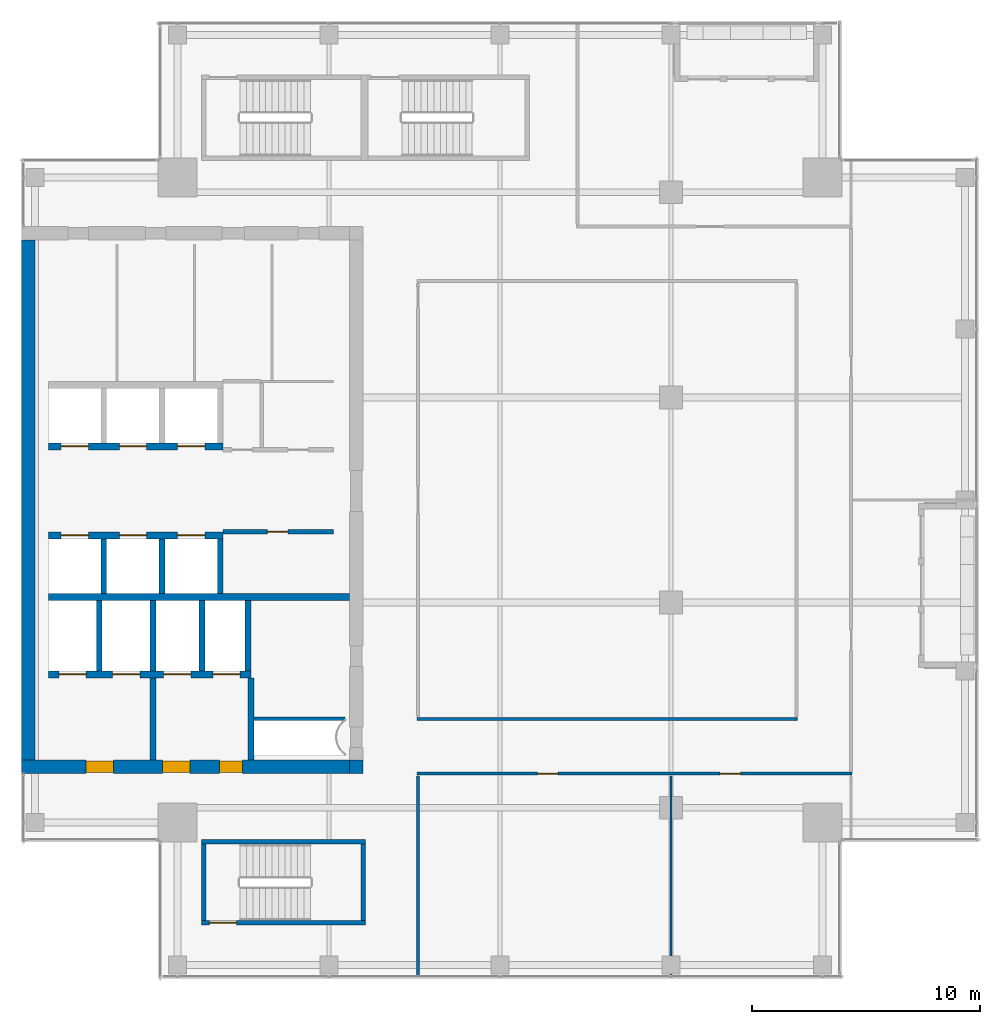
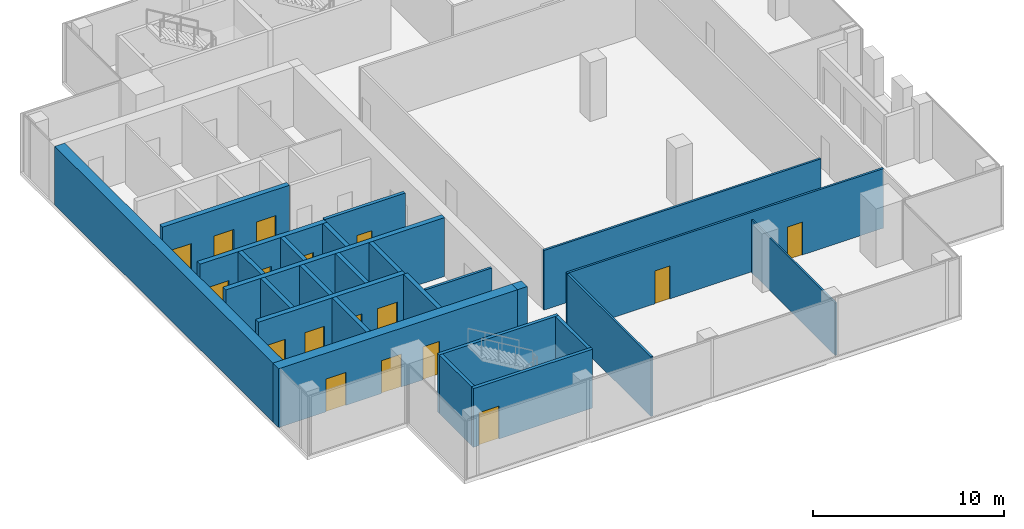
# One storey, part 25 of 29: 26 walls, 17 doors, 17 openings.
"""IFC4 building model written with IfcOpenShell, lengths in metres."""

from ifc_helpers import new_model, si_unit, direction, frame, frame_2d, origin, place, context, subcontext, project, spatial, rectangle, extrude, source, transform, mapped, material, layer, layer_set, type_object, element, fill, save


model = new_model("IFC4")

# Units and contexts
model_context = context("Model", 3, precision=1e-05, world=origin(), true_north=direction((0.0, 1.0)))
body_context = subcontext(model_context, "Body", "Model", "MODEL_VIEW")
ifc_project = project(units=[si_unit("LENGTHUNIT", "METRE"), si_unit("AREAUNIT", "SQUARE_METRE"), si_unit("VOLUMEUNIT", "CUBIC_METRE"), si_unit("PLANEANGLEUNIT", "RADIAN"), si_unit("MASSUNIT", "GRAM", prefix="KILO")], contexts=[model_context])

# Site, building, storey
site_placement = place(None, origin())
site = spatial("IfcSite", under=ifc_project, at=site_placement, CompositionType="ELEMENT")
building_placement = place(site_placement, origin())
building = spatial("IfcBuilding", under=site, at=building_placement, Name="Khomas Fold Tower", CompositionType="ELEMENT")
storey_placement = place(building_placement, frame((0.0, 0.0, 326.199951171875)))
storey = spatial("IfcBuildingStorey", under=building, at=storey_placement, Name="L74", CompositionType="ELEMENT", Elevation=326.199951171875)

# Wall
ifc_material_1 = material(Name="Concrete C50/60", Category="concrete")
ifc_layer_1 = layer(ifc_material_1, 0.199951171875)
ifc_layer_set_1 = layer_set([ifc_layer_1], Name="Concrete C50/60")
wall_type_1 = type_object("IfcWallType", Name="Stair wall 200", PredefinedType="SHEAR", material=ifc_layer_set_1)
shared_shape_1 = source(origin(), body_context, "Body", "SweptSolid", [
    extrude(rectangle(XDim=7.2001953125, YDim=0.199951171875, at=frame_2d((3.60009765625, 0.0))), origin(), (0.0, 0.0, 1.0), 3.75),
])
wall_1_placement = place(storey_placement, frame((13.89990234375, 12.0, 0.0), z_axis=(0.0, 0.0, 1.0), x_axis=(1.0, 0.0, 0.0)))
element("IfcWall", 1, at=wall_1_placement, inside=storey, type_object=wall_type_1, Name="Stair wall SW-ST2-NH", PredefinedType="SHEAR", context=body_context, shape_type="MappedRepresentation", body=[
    mapped(shared_shape_1, transform((0.0, 0.0, 0.0))),
])

# Wall, opening, door
wall_2_placement = place(storey_placement, frame((13.89990234375, 8.449951171875, 0.0), z_axis=(0.0, 0.0, 1.0), x_axis=(1.0, 0.0, 0.0)))
wall_2 = element("IfcWall", 2, at=wall_2_placement, inside=storey, type_object=wall_type_1, Name="Stair wall SW-ST2-S", PredefinedType="SHEAR", context=body_context, shape_type="MappedRepresentation", body=[
    mapped(shared_shape_1, transform((0.0, 0.0, 0.0))),
])
shared_shape_2 = source(origin(), body_context, "Body", "SweptSolid", [
    extrude(rectangle(XDim=1.199951171875, YDim=2.10009765625, at=frame_2d((0.60009765625, 1.050048828125))), frame((0.0, 0.10986328125, 0.0), z_axis=(0.0, -1.0, 0.0), x_axis=(1.0, 0.0, 0.0)), (0.0, 0.0, 1.0), 0.219970703125),
])
opening_1_placement = place(wall_2_placement, frame((0.35009765625, 0.0, 0.0)))
opening_1 = element("IfcOpeningElement", 3, at=opening_1_placement, cuts=wall_2, Name="Opening SD-ST2", PredefinedType="OPENING", context=body_context, shape_type="MappedRepresentation", body=[
    mapped(shared_shape_2, transform((0.0, 0.0, 0.0))),
])
ifc_material_2 = material(Name="Steel door leaf", Category="steel")
door_type_1 = type_object("IfcDoorType", Name="Stair door 1200x2100 right-hand", OperationType="SINGLE_SWING_RIGHT", PredefinedType="DOOR", material=ifc_material_2)
shared_shape_3 = source(origin(), body_context, "Body", "SweptSolid", [
    extrude(rectangle(XDim=1.199951171875, YDim=2.10009765625, at=frame_2d((0.60009765625, 1.050048828125))), frame((0.0, 0.02490234375, 0.0), z_axis=(0.0, -1.0, 0.0), x_axis=(1.0, 0.0, 0.0)), (0.0, 0.0, 1.0), 0.050048828125),
])
door_1_placement = place(opening_1_placement, origin())
door_1 = element("IfcDoor", 4, at=door_1_placement, inside=storey, type_object=door_type_1, Name="Stair door", OperationType="SINGLE_SWING_RIGHT", OverallHeight=2.10009765625, OverallWidth=1.199951171875, PredefinedType="DOOR", context=body_context, shape_type="MappedRepresentation", body=[
    mapped(shared_shape_3, transform((0.0, 0.0, 0.0))),
])
fill(opening_1, door_1)

# Walls
shared_shape_4 = source(origin(), body_context, "Body", "SweptSolid", [
    extrude(rectangle(XDim=3.349853515625, YDim=0.199951171875, at=frame_2d((1.6748046875, 0.0))), origin(), (0.0, 0.0, 1.0), 3.75),
])
for number, where, z_axis, x_axis, name in (
    (5, (21.0, 8.550048828125, 0.0), (0.0, 0.0, 1.0), (0.0, 1.0, 0.0), "Stair wall SW-ST2-E"),
    (6, (14.0, 8.550048828125, 0.0), (0.0, 0.0, 1.0), (0.0, 1.0, 0.0), "Stair wall SW-ST2-W"),
):
    element("IfcWall", number, at=place(storey_placement, frame(where, z_axis=z_axis, x_axis=x_axis)), inside=storey, type_object=wall_type_1, Name=name, PredefinedType="SHEAR", context=body_context, shape_type="MappedRepresentation", body=[
        mapped(shared_shape_4, transform((0.0, 0.0, 0.0))),
    ])
ifc_material_3 = material(Name="Concrete C50/60", Category="concrete")
ifc_layer_2 = layer(ifc_material_3, 0.25)
ifc_layer_set_2 = layer_set([ifc_layer_2], Name="Concrete C50/60")
wall_type_2 = type_object("IfcWallType", Name="Shaft wall 250", PredefinedType="STANDARD", material=ifc_layer_set_2)
shared_shape_5 = source(origin(), body_context, "Body", "SweptSolid", [
    extrude(rectangle(XDim=3.10009765625, YDim=0.25, at=frame_2d((1.550048828125, 0.0))), origin(), (0.0, 0.0, 1.0), 3.75),
])
for number, where, z_axis, x_axis, name in (
    (7, (9.425048828125, 19.5, 0.0), (0.0, 0.0, 1.0), (0.0, 1.0, 0.0), "Core wall SW-FS-P1"),
    (8, (11.77490234375, 19.5, 0.0), (0.0, 0.0, 1.0), (0.0, 1.0, 0.0), "Core wall SW-FS-P2"),
    (9, (13.925048828125, 19.5, 0.0), (0.0, 0.0, 1.0), (0.0, 1.0, 0.0), "Core wall SW-FS-P3"),
    (10, (15.949951171875, 19.5, 0.0), (0.0, 0.0, 1.0), (0.0, 1.0, 0.0), "Core wall SW-FS-PE"),
):
    element("IfcWall", number, at=place(storey_placement, frame(where, z_axis=z_axis, x_axis=x_axis)), inside=storey, type_object=wall_type_2, Name=name, PredefinedType="STANDARD", context=body_context, shape_type="MappedRepresentation", body=[
        mapped(shared_shape_5, transform((0.0, 0.0, 0.0))),
    ])
shared_shape_6 = source(origin(), body_context, "Body", "SweptSolid", [
    extrude(rectangle(XDim=2.400146484375, YDim=0.25, at=frame_2d((1.2001953125, 0.0))), origin(), (0.0, 0.0, 1.0), 3.75),
])
for number, where, z_axis, x_axis, name in (
    (11, (9.625, 22.89990234375, 0.0), (0.0, 0.0, 1.0), (0.0, 1.0, 0.0), "Core wall SW-HRS-P1"),
    (12, (12.175048828125, 22.89990234375, 0.0), (0.0, 0.0, 1.0), (0.0, 1.0, 0.0), "Core wall SW-HRS-P2"),
    (13, (14.72509765625, 22.89990234375, 0.0), (0.0, 0.0, 1.0), (0.0, 1.0, 0.0), "Core wall SW-HRS-PE"),
):
    element("IfcWall", number, at=place(storey_placement, frame(where, z_axis=z_axis, x_axis=x_axis)), inside=storey, type_object=wall_type_2, Name=name, PredefinedType="STANDARD", context=body_context, shape_type="MappedRepresentation", body=[
        mapped(shared_shape_6, transform((0.0, 0.0, 0.0))),
    ])

# Wall, openings, doors
ifc_material_4 = material(Name="Concrete C50/60", Category="concrete")
ifc_layer_3 = layer(ifc_material_4, 0.60009765625)
ifc_layer_set_3 = layer_set([ifc_layer_3], Name="Concrete C50/60")
wall_type_3 = type_object("IfcWallType", Name="Core wall 600", PredefinedType="SHEAR", material=ifc_layer_set_3)
shared_shape_7 = source(origin(), body_context, "Body", "SweptSolid", [
    extrude(rectangle(XDim=14.39990234375, YDim=0.60009765625, at=frame_2d((7.199951171875, 0.0))), origin(), (0.0, 0.0, 1.0), 3.75),
])
wall_3_placement = place(storey_placement, frame((6.0, 15.300048828125, 0.0), z_axis=(0.0, 0.0, 1.0), x_axis=(1.0, 0.0, 0.0)))
wall_3 = element("IfcWall", 14, at=wall_3_placement, inside=storey, type_object=wall_type_3, Name="Core wall CW-U-S-L63", PredefinedType="SHEAR", context=body_context, shape_type="MappedRepresentation", body=[
    mapped(shared_shape_7, transform((0.0, 0.0, 0.0))),
])
shared_shape_8 = source(origin(), body_context, "Body", "SweptSolid", [
    extrude(rectangle(XDim=1.199951171875, YDim=2.10009765625, at=frame_2d((0.60009765625, 1.050048828125))), frame((0.0, 0.31005859375, 0.0), z_axis=(0.0, -1.0, 0.0), x_axis=(1.0, 0.0, 0.0)), (0.0, 0.0, 1.0), 0.6201171875),
])
opening_2_placement = place(wall_3_placement, frame((6.199951171875, 0.0, 0.0)))
opening_2 = element("IfcOpeningElement", 15, at=opening_2_placement, cuts=wall_3, Name="Opening 0009", PredefinedType="OPENING", context=body_context, shape_type="MappedRepresentation", body=[
    mapped(shared_shape_8, transform((0.0, 0.0, 0.0))),
])
opening_3_placement = place(wall_3_placement, frame((2.85009765625, 0.0, 0.0)))
opening_3 = element("IfcOpeningElement", 16, at=opening_3_placement, cuts=wall_3, Name="Opening 0009", PredefinedType="OPENING", context=body_context, shape_type="MappedRepresentation", body=[
    mapped(shared_shape_8, transform((0.0, 0.0, 0.0))),
])
shared_shape_9 = source(origin(), body_context, "Body", "SweptSolid", [
    extrude(rectangle(XDim=1.0, YDim=2.10009765625, at=frame_2d((0.5, 1.050048828125))), frame((0.0, 0.31005859375, 0.0), z_axis=(0.0, -1.0, 0.0), x_axis=(1.0, 0.0, 0.0)), (0.0, 0.0, 1.0), 0.6201171875),
])
opening_4_placement = place(wall_3_placement, frame((8.699951171875, 0.0, 0.0)))
opening_4 = element("IfcOpeningElement", 17, at=opening_4_placement, cuts=wall_3, Name="Opening 0010", PredefinedType="OPENING", context=body_context, shape_type="MappedRepresentation", body=[
    mapped(shared_shape_9, transform((0.0, 0.0, 0.0))),
])
ifc_material_5 = material(Name="Steel door leaf", Category="steel")
door_type_2 = type_object("IfcDoorType", Name="Stair door 1000x2100 right-hand", OperationType="SINGLE_SWING_RIGHT", PredefinedType="DOOR", material=ifc_material_5)
shared_shape_10 = source(origin(), body_context, "Body", "SweptSolid", [
    extrude(rectangle(XDim=1.0, YDim=2.10009765625, at=frame_2d((0.5, 1.050048828125))), frame((0.0, 0.25, 0.0), z_axis=(0.0, -1.0, 0.0), x_axis=(1.0, 0.0, 0.0)), (0.0, 0.0, 1.0), 0.5),
])
door_2_placement = place(opening_4_placement, origin())
door_2 = element("IfcDoor", 18, at=door_2_placement, inside=storey, type_object=door_type_2, Name="Stair door", OperationType="SINGLE_SWING_RIGHT", OverallHeight=2.10009765625, OverallWidth=1.0, PredefinedType="DOOR", context=body_context, shape_type="MappedRepresentation", body=[
    mapped(shared_shape_10, transform((0.0, 0.0, 0.0))),
])
fill(opening_4, door_2)
ifc_material_6 = material(Name="Steel door leaf", Category="steel")
door_type_3 = type_object("IfcDoorType", Name="Lobby door 1200x2100 right-hand", OperationType="SINGLE_SWING_RIGHT", PredefinedType="DOOR", material=ifc_material_6)
shared_shape_11 = source(origin(), body_context, "Body", "SweptSolid", [
    extrude(rectangle(XDim=1.199951171875, YDim=2.10009765625, at=frame_2d((0.60009765625, 1.050048828125))), frame((0.0, 0.25, 0.0), z_axis=(0.0, -1.0, 0.0), x_axis=(1.0, 0.0, 0.0)), (0.0, 0.0, 1.0), 0.5),
])
door_3_placement = place(opening_2_placement, origin())
door_3 = element("IfcDoor", 19, at=door_3_placement, inside=storey, type_object=door_type_3, Name="Lobby door", OperationType="SINGLE_SWING_RIGHT", OverallHeight=2.10009765625, OverallWidth=1.199951171875, PredefinedType="DOOR", context=body_context, shape_type="MappedRepresentation", body=[
    mapped(shared_shape_11, transform((0.0, 0.0, 0.0))),
])
fill(opening_2, door_3)
door_4_placement = place(opening_3_placement, origin())
door_4 = element("IfcDoor", 20, at=door_4_placement, inside=storey, type_object=door_type_3, Name="Lobby door", OperationType="SINGLE_SWING_RIGHT", OverallHeight=2.10009765625, OverallWidth=1.199951171875, PredefinedType="DOOR", context=body_context, shape_type="MappedRepresentation", body=[
    mapped(shared_shape_11, transform((0.0, 0.0, 0.0))),
])
fill(opening_3, door_4)

# Walls
ifc_material_7 = material(Name="Concrete C50/60", Category="concrete")
ifc_layer_4 = layer(ifc_material_7, 0.60009765625)
ifc_layer_set_4 = layer_set([ifc_layer_4], Name="Concrete C50/60")
wall_type_4 = type_object("IfcWallType", Name="Core corner wall 600", PredefinedType="SHEAR", material=ifc_layer_set_4)
shared_shape_12 = source(origin(), body_context, "Body", "SweptSolid", [
    extrude(rectangle(XDim=0.60009765625, YDim=0.60009765625, at=frame_2d((0.300048828125, 0.0))), origin(), (0.0, 0.0, 1.0), 3.75),
])
wall_4_placement = place(storey_placement, frame((20.39990234375, 15.300048828125, 0.0), z_axis=(0.0, 0.0, 1.0), x_axis=(1.0, 0.0, 0.0)))
element("IfcWall", 21, at=wall_4_placement, inside=storey, type_object=wall_type_4, Name="Core wall CW-U-SE-L63", PredefinedType="SHEAR", context=body_context, shape_type="MappedRepresentation", body=[
    mapped(shared_shape_12, transform((0.0, 0.0, 0.0))),
])
shared_shape_13 = source(origin(), body_context, "Body", "SweptSolid", [
    extrude(rectangle(XDim=22.7998046875, YDim=0.60009765625, at=frame_2d((11.39990234375, 0.0))), origin(), (0.0, 0.0, 1.0), 3.75),
])
wall_5_placement = place(storey_placement, frame((6.300048828125, 15.60009765625, 0.0), z_axis=(0.0, 0.0, 1.0), x_axis=(0.0, 1.0, 0.0)))
element("IfcWall", 22, at=wall_5_placement, inside=storey, type_object=wall_type_3, Name="Core wall CW-U-W-L63", PredefinedType="SHEAR", context=body_context, shape_type="MappedRepresentation", body=[
    mapped(shared_shape_13, transform((0.0, 0.0, 0.0))),
])
ifc_material_8 = material(Name="Concrete C50/60", Category="concrete")
ifc_layer_5 = layer(ifc_material_8, 0.300048828125)
ifc_layer_set_5 = layer_set([ifc_layer_5], Name="Concrete C50/60")
wall_type_5 = type_object("IfcWallType", Name="Shaft wall 300", PredefinedType="STANDARD", material=ifc_layer_set_5)
shared_shape_14 = source(origin(), body_context, "Body", "SweptSolid", [
    extrude(rectangle(XDim=13.199951171875, YDim=0.300048828125, at=frame_2d((6.60009765625, 0.0))), origin(), (0.0, 0.0, 1.0), 3.75),
])
wall_6_placement = place(storey_placement, frame((7.199951171875, 22.75, 0.0), z_axis=(0.0, 0.0, 1.0), x_axis=(1.0, 0.0, 0.0)))
element("IfcWall", 23, at=wall_6_placement, inside=storey, type_object=wall_type_5, Name="Core wall SW-FS-B", PredefinedType="STANDARD", context=body_context, shape_type="MappedRepresentation", body=[
    mapped(shared_shape_14, transform((0.0, 0.0, 0.0))),
])

# Wall, openings, doors
shared_shape_15 = source(origin(), body_context, "Body", "SweptSolid", [
    extrude(rectangle(XDim=8.875, YDim=0.300048828125, at=frame_2d((4.4375, 0.0))), origin(), (0.0, 0.0, 1.0), 3.75),
])
wall_7_placement = place(storey_placement, frame((7.199951171875, 19.35009765625, 0.0), z_axis=(0.0, 0.0, 1.0), x_axis=(1.0, 0.0, 0.0)))
wall_7 = element("IfcWall", 24, at=wall_7_placement, inside=storey, type_object=wall_type_5, Name="Core wall SW-FS-F", PredefinedType="STANDARD", context=body_context, shape_type="MappedRepresentation", body=[
    mapped(shared_shape_15, transform((0.0, 0.0, 0.0))),
])
shared_shape_16 = source(origin(), body_context, "Body", "SweptSolid", [
    extrude(rectangle(XDim=1.199951171875, YDim=2.10009765625, at=frame_2d((0.60009765625, 1.050048828125))), frame((0.0, 0.159912109375, 0.0), z_axis=(0.0, -1.0, 0.0), x_axis=(1.0, 0.0, 0.0)), (0.0, 0.0, 1.0), 0.320068359375),
])
opening_5_placement = place(wall_7_placement, frame((0.449951171875, 0.0, 0.0)))
opening_5 = element("IfcOpeningElement", 25, at=opening_5_placement, cuts=wall_7, Name="Opening LD-SV1", PredefinedType="OPENING", context=body_context, shape_type="MappedRepresentation", body=[
    mapped(shared_shape_16, transform((0.0, 0.0, 0.0))),
])
opening_6_placement = place(wall_7_placement, frame((2.800048828125, 0.0, 0.0)))
opening_6 = element("IfcOpeningElement", 26, at=opening_6_placement, cuts=wall_7, Name="Opening LD-SV2", PredefinedType="OPENING", context=body_context, shape_type="MappedRepresentation", body=[
    mapped(shared_shape_16, transform((0.0, 0.0, 0.0))),
])
opening_7_placement = place(wall_7_placement, frame((5.050048828125, 0.0, 0.0)))
opening_7 = element("IfcOpeningElement", 27, at=opening_7_placement, cuts=wall_7, Name="Opening LD-FF1", PredefinedType="OPENING", context=body_context, shape_type="MappedRepresentation", body=[
    mapped(shared_shape_16, transform((0.0, 0.0, 0.0))),
])
opening_8_placement = place(wall_7_placement, frame((7.199951171875, 0.0, 0.0)))
opening_8 = element("IfcOpeningElement", 28, at=opening_8_placement, cuts=wall_7, Name="Opening LD-FF2", PredefinedType="OPENING", context=body_context, shape_type="MappedRepresentation", body=[
    mapped(shared_shape_16, transform((0.0, 0.0, 0.0))),
])
ifc_material_9 = material(Name="Steel door leaf", Category="steel")
door_type_4 = type_object("IfcDoorType", Name="Landing door 1200x2100", OperationType="DOUBLE_DOOR_SLIDING", PredefinedType="DOOR", material=ifc_material_9)
door_5_placement = place(opening_5_placement, origin())
door_5 = element("IfcDoor", 29, at=door_5_placement, inside=storey, type_object=door_type_4, Name="Lift landing door", OperationType="DOUBLE_DOOR_SLIDING", OverallHeight=2.10009765625, OverallWidth=1.199951171875, PredefinedType="DOOR", context=body_context, shape_type="MappedRepresentation", body=[
    mapped(shared_shape_3, transform((0.0, 0.0, 0.0))),
])
fill(opening_5, door_5)
door_6_placement = place(opening_6_placement, origin())
door_6 = element("IfcDoor", 30, at=door_6_placement, inside=storey, type_object=door_type_4, Name="Lift landing door", OperationType="DOUBLE_DOOR_SLIDING", OverallHeight=2.10009765625, OverallWidth=1.199951171875, PredefinedType="DOOR", context=body_context, shape_type="MappedRepresentation", body=[
    mapped(shared_shape_3, transform((0.0, 0.0, 0.0))),
])
fill(opening_6, door_6)
door_7_placement = place(opening_7_placement, origin())
door_7 = element("IfcDoor", 31, at=door_7_placement, inside=storey, type_object=door_type_4, Name="Lift landing door", OperationType="DOUBLE_DOOR_SLIDING", OverallHeight=2.10009765625, OverallWidth=1.199951171875, PredefinedType="DOOR", context=body_context, shape_type="MappedRepresentation", body=[
    mapped(shared_shape_3, transform((0.0, 0.0, 0.0))),
])
fill(opening_7, door_7)
door_8_placement = place(opening_8_placement, origin())
door_8 = element("IfcDoor", 32, at=door_8_placement, inside=storey, type_object=door_type_4, Name="Lift landing door", OperationType="DOUBLE_DOOR_SLIDING", OverallHeight=2.10009765625, OverallWidth=1.199951171875, PredefinedType="DOOR", context=body_context, shape_type="MappedRepresentation", body=[
    mapped(shared_shape_3, transform((0.0, 0.0, 0.0))),
])
fill(opening_8, door_8)

shared_shape_17 = source(origin(), body_context, "Body", "SweptSolid", [
    extrude(rectangle(XDim=7.650146484375, YDim=0.300048828125, at=frame_2d((3.8251953125, 0.0))), origin(), (0.0, 0.0, 1.0), 3.75),
])
wall_8_placement = place(storey_placement, frame((7.199951171875, 29.35009765625, 0.0), z_axis=(0.0, 0.0, 1.0), x_axis=(1.0, 0.0, 0.0)))
wall_8 = element("IfcWall", 33, at=wall_8_placement, inside=storey, type_object=wall_type_5, Name="Core wall SW-HRN-F", PredefinedType="STANDARD", context=body_context, shape_type="MappedRepresentation", body=[
    mapped(shared_shape_17, transform((0.0, 0.0, 0.0))),
])
opening_9_placement = place(wall_8_placement, frame((0.550048828125, 0.0, 0.0)))
opening_9 = element("IfcOpeningElement", 34, at=opening_9_placement, cuts=wall_8, Name="Opening LD-HR4", PredefinedType="OPENING", context=body_context, shape_type="MappedRepresentation", body=[
    mapped(shared_shape_16, transform((0.0, 0.0, 0.0))),
])
opening_10_placement = place(wall_8_placement, frame((3.10009765625, 0.0, 0.0)))
opening_10 = element("IfcOpeningElement", 35, at=opening_10_placement, cuts=wall_8, Name="Opening LD-HR5", PredefinedType="OPENING", context=body_context, shape_type="MappedRepresentation", body=[
    mapped(shared_shape_16, transform((0.0, 0.0, 0.0))),
])
opening_11_placement = place(wall_8_placement, frame((5.64990234375, 0.0, 0.0)))
opening_11 = element("IfcOpeningElement", 36, at=opening_11_placement, cuts=wall_8, Name="Opening LD-HR6", PredefinedType="OPENING", context=body_context, shape_type="MappedRepresentation", body=[
    mapped(shared_shape_16, transform((0.0, 0.0, 0.0))),
])
door_9_placement = place(opening_9_placement, origin())
door_9 = element("IfcDoor", 37, at=door_9_placement, inside=storey, type_object=door_type_4, Name="Lift landing door", OperationType="DOUBLE_DOOR_SLIDING", OverallHeight=2.10009765625, OverallWidth=1.199951171875, PredefinedType="DOOR", context=body_context, shape_type="MappedRepresentation", body=[
    mapped(shared_shape_3, transform((0.0, 0.0, 0.0))),
])
fill(opening_9, door_9)
door_10_placement = place(opening_10_placement, origin())
door_10 = element("IfcDoor", 38, at=door_10_placement, inside=storey, type_object=door_type_4, Name="Lift landing door", OperationType="DOUBLE_DOOR_SLIDING", OverallHeight=2.10009765625, OverallWidth=1.199951171875, PredefinedType="DOOR", context=body_context, shape_type="MappedRepresentation", body=[
    mapped(shared_shape_3, transform((0.0, 0.0, 0.0))),
])
fill(opening_10, door_10)
door_11_placement = place(opening_11_placement, origin())
door_11 = element("IfcDoor", 39, at=door_11_placement, inside=storey, type_object=door_type_4, Name="Lift landing door", OperationType="DOUBLE_DOOR_SLIDING", OverallHeight=2.10009765625, OverallWidth=1.199951171875, PredefinedType="DOOR", context=body_context, shape_type="MappedRepresentation", body=[
    mapped(shared_shape_3, transform((0.0, 0.0, 0.0))),
])
fill(opening_11, door_11)

wall_9_placement = place(storey_placement, frame((7.199951171875, 25.449951171875, 0.0), z_axis=(0.0, 0.0, 1.0), x_axis=(1.0, 0.0, 0.0)))
wall_9 = element("IfcWall", 40, at=wall_9_placement, inside=storey, type_object=wall_type_5, Name="Core wall SW-HRS-F", PredefinedType="STANDARD", context=body_context, shape_type="MappedRepresentation", body=[
    mapped(shared_shape_17, transform((0.0, 0.0, 0.0))),
])
opening_12_placement = place(wall_9_placement, frame((0.550048828125, 0.0, 0.0)))
opening_12 = element("IfcOpeningElement", 41, at=opening_12_placement, cuts=wall_9, Name="Opening LD-HR1", PredefinedType="OPENING", context=body_context, shape_type="MappedRepresentation", body=[
    mapped(shared_shape_16, transform((0.0, 0.0, 0.0))),
])
opening_13_placement = place(wall_9_placement, frame((3.10009765625, 0.0, 0.0)))
opening_13 = element("IfcOpeningElement", 42, at=opening_13_placement, cuts=wall_9, Name="Opening LD-HR2", PredefinedType="OPENING", context=body_context, shape_type="MappedRepresentation", body=[
    mapped(shared_shape_16, transform((0.0, 0.0, 0.0))),
])
opening_14_placement = place(wall_9_placement, frame((5.64990234375, 0.0, 0.0)))
opening_14 = element("IfcOpeningElement", 43, at=opening_14_placement, cuts=wall_9, Name="Opening LD-HR3", PredefinedType="OPENING", context=body_context, shape_type="MappedRepresentation", body=[
    mapped(shared_shape_16, transform((0.0, 0.0, 0.0))),
])
door_12_placement = place(opening_12_placement, origin())
door_12 = element("IfcDoor", 44, at=door_12_placement, inside=storey, type_object=door_type_4, Name="Lift landing door", OperationType="DOUBLE_DOOR_SLIDING", OverallHeight=2.10009765625, OverallWidth=1.199951171875, PredefinedType="DOOR", context=body_context, shape_type="MappedRepresentation", body=[
    mapped(shared_shape_3, transform((0.0, 0.0, 0.0))),
])
fill(opening_12, door_12)
door_13_placement = place(opening_13_placement, origin())
door_13 = element("IfcDoor", 45, at=door_13_placement, inside=storey, type_object=door_type_4, Name="Lift landing door", OperationType="DOUBLE_DOOR_SLIDING", OverallHeight=2.10009765625, OverallWidth=1.199951171875, PredefinedType="DOOR", context=body_context, shape_type="MappedRepresentation", body=[
    mapped(shared_shape_3, transform((0.0, 0.0, 0.0))),
])
fill(opening_13, door_13)
door_14_placement = place(opening_14_placement, origin())
door_14 = element("IfcDoor", 46, at=door_14_placement, inside=storey, type_object=door_type_4, Name="Lift landing door", OperationType="DOUBLE_DOOR_SLIDING", OverallHeight=2.10009765625, OverallWidth=1.199951171875, PredefinedType="DOOR", context=body_context, shape_type="MappedRepresentation", body=[
    mapped(shared_shape_3, transform((0.0, 0.0, 0.0))),
])
fill(opening_14, door_14)

# Walls
ifc_material_10 = material(Name="Concrete C50/60", Category="concrete")
ifc_layer_6 = layer(ifc_material_10, 0.25)
ifc_layer_set_6 = layer_set([ifc_layer_6], Name="Concrete C50/60")
wall_type_6 = type_object("IfcWallType", Name="Lobby wall 250", PredefinedType="STANDARD", material=ifc_layer_set_6)
shared_shape_18 = source(origin(), body_context, "Body", "SweptSolid", [
    extrude(rectangle(XDim=3.599853515625, YDim=0.25, at=frame_2d((1.7998046875, 0.0))), origin(), (0.0, 0.0, 1.0), 3.75),
])
for number, where, z_axis, x_axis, name in (
    (47, (16.074951171875, 15.60009765625, 0.0), (0.0, 0.0, 1.0), (0.0, 1.0, 0.0), "Core wall SW-FS-LOB-E"),
    (48, (11.77490234375, 15.60009765625, 0.0), (0.0, 0.0, 1.0), (0.0, 1.0, 0.0), "Core wall SW-FS-SEP"),
):
    element("IfcWall", number, at=place(storey_placement, frame(where, z_axis=z_axis, x_axis=x_axis)), inside=storey, type_object=wall_type_6, Name=name, PredefinedType="STANDARD", context=body_context, shape_type="MappedRepresentation", body=[
        mapped(shared_shape_18, transform((0.0, 0.0, 0.0))),
    ])
ifc_material_11 = material(Name="Plasterboard fire partition")
ifc_layer_7 = layer(ifc_material_11, 0.14990234375)
ifc_layer_set_7 = layer_set([ifc_layer_7], Name="Plasterboard fire partition")
wall_type_7 = type_object("IfcWallType", Name="Plant room wall PW3 150", PredefinedType="PARTITIONING", material=ifc_layer_set_7)
shared_shape_19 = source(origin(), body_context, "Body", "SweptSolid", [
    extrude(rectangle(XDim=4.0, YDim=0.14990234375, at=frame_2d((2.0, 0.0))), origin(), (0.0, 0.0, 1.0), 3.800048828125),
])
wall_10_placement = place(storey_placement, frame((16.199951171875, 17.39990234375, 0.0), z_axis=(0.0, 0.0, 1.0), x_axis=(1.0, 0.0, 0.0)))
element("IfcWall", 49, at=wall_10_placement, inside=storey, type_object=wall_type_7, Name="Plant room wall", PredefinedType="PARTITIONING", context=body_context, shape_type="MappedRepresentation", body=[
    mapped(shared_shape_19, transform((0.0, 0.0, 0.0))),
])

# Wall, opening, door
ifc_material_12 = material(Name="Concrete C30/37", Category="concrete")
ifc_layer_8 = layer(ifc_material_12, 0.199951171875)
ifc_layer_set_8 = layer_set([ifc_layer_8], Name="Concrete C30/37")
wall_type_8 = type_object("IfcWallType", Name="Lobby wall PW4 200", PredefinedType="PARTITIONING", material=ifc_layer_set_8)
shared_shape_20 = source(origin(), body_context, "Body", "SweptSolid", [
    extrude(rectangle(XDim=4.849853515625, YDim=0.199951171875, at=frame_2d((2.4248046875, 0.0))), origin(), (0.0, 0.0, 1.0), 3.800048828125),
])
wall_11_placement = place(storey_placement, frame((14.85009765625, 25.60009765625, 0.0), z_axis=(0.0, 0.0, 1.0), x_axis=(1.0, 0.0, 0.0)))
wall_11 = element("IfcWall", 50, at=wall_11_placement, inside=storey, type_object=wall_type_8, Name="Lobby wall", PredefinedType="PARTITIONING", context=body_context, shape_type="MappedRepresentation", body=[
    mapped(shared_shape_20, transform((0.0, 0.0, 0.0))),
])
shared_shape_21 = source(origin(), body_context, "Body", "SweptSolid", [
    extrude(rectangle(XDim=0.89990234375, YDim=2.10009765625, at=frame_2d((0.449951171875, 1.050048828125))), frame((0.0, 0.10986328125, 0.0), z_axis=(0.0, -1.0, 0.0), x_axis=(1.0, 0.0, 0.0)), (0.0, 0.0, 1.0), 0.219970703125),
])
opening_15_placement = place(wall_11_placement, frame((1.949951171875, 0.0, 0.0)))
opening_15 = element("IfcOpeningElement", 51, at=opening_15_placement, cuts=wall_11, Name="Opening 0003", PredefinedType="OPENING", context=body_context, shape_type="MappedRepresentation", body=[
    mapped(shared_shape_21, transform((0.0, 0.0, 0.0))),
])
ifc_material_13 = material(Name="Steel door leaf", Category="steel")
door_type_5 = type_object("IfcDoorType", Name="Plant room door 900x2100 right-hand", OperationType="SINGLE_SWING_RIGHT", PredefinedType="DOOR", material=ifc_material_13)
shared_shape_22 = source(origin(), body_context, "Body", "SweptSolid", [
    extrude(rectangle(XDim=0.89990234375, YDim=2.10009765625, at=frame_2d((0.449951171875, 1.050048828125))), frame((0.0, 0.02490234375, 0.0), z_axis=(0.0, -1.0, 0.0), x_axis=(1.0, 0.0, 0.0)), (0.0, 0.0, 1.0), 0.050048828125),
])
door_15_placement = place(opening_15_placement, origin())
door_15 = element("IfcDoor", 52, at=door_15_placement, inside=storey, type_object=door_type_5, Name="Plant room door", OperationType="SINGLE_SWING_RIGHT", OverallHeight=2.10009765625, OverallWidth=0.89990234375, PredefinedType="DOOR", context=body_context, shape_type="MappedRepresentation", body=[
    mapped(shared_shape_22, transform((0.0, 0.0, 0.0))),
])
fill(opening_15, door_15)

# Walls
ifc_material_14 = material(Name="Plasterboard partition")
ifc_layer_9 = layer(ifc_material_14, 0.125)
ifc_layer_set_9 = layer_set([ifc_layer_9], Name="Plasterboard partition")
wall_type_9 = type_object("IfcWallType", Name="Partition PW2 125", PredefinedType="PARTITIONING", material=ifc_layer_set_9)
shared_shape_23 = source(origin(), body_context, "Body", "SweptSolid", [
    extrude(rectangle(XDim=8.75, YDim=0.125, at=frame_2d((4.375, 0.0))), origin(), (0.0, 0.0, 1.0), 3.800048828125),
])
wall_12_placement = place(storey_placement, frame((23.39990234375, 6.14990234375, 0.0), z_axis=(0.0, 0.0, 1.0), x_axis=(0.0, 1.0, 0.0)))
element("IfcWall", 53, at=wall_12_placement, inside=storey, type_object=wall_type_9, Name="Partition", PredefinedType="PARTITIONING", context=body_context, shape_type="MappedRepresentation", body=[
    mapped(shared_shape_23, transform((0.0, 0.0, 0.0))),
])
ifc_material_15 = material(Name="Plasterboard partition")
ifc_layer_10 = layer(ifc_material_15, 0.10009765625)
ifc_layer_set_10 = layer_set([ifc_layer_10], Name="Plasterboard partition")
wall_type_10 = type_object("IfcWallType", Name="Partition PW1 100", PredefinedType="PARTITIONING", material=ifc_layer_set_10)
shared_shape_24 = source(origin(), body_context, "Body", "SweptSolid", [
    extrude(rectangle(XDim=8.75, YDim=0.10009765625, at=frame_2d((4.375, 0.0))), origin(), (0.0, 0.0, 1.0), 3.35009765625),
])
wall_13_placement = place(storey_placement, frame((34.5, 6.14990234375, 0.0), z_axis=(0.0, 0.0, 1.0), x_axis=(0.0, 1.0, 0.0)))
element("IfcWall", 54, at=wall_13_placement, inside=storey, type_object=wall_type_10, Name="Partition", PredefinedType="PARTITIONING", context=body_context, shape_type="MappedRepresentation", body=[
    mapped(shared_shape_24, transform((0.0, 0.0, 0.0))),
])

# Wall, openings, doors
shared_shape_25 = source(origin(), body_context, "Body", "SweptSolid", [
    extrude(rectangle(XDim=19.099853515625, YDim=0.125, at=frame_2d((9.5498046875, 0.0))), origin(), (0.0, 0.0, 1.0), 3.800048828125),
])
wall_14_placement = place(storey_placement, frame((23.35009765625, 15.0, 0.0), z_axis=(0.0, 0.0, 1.0), x_axis=(1.0, 0.0, 0.0)))
wall_14 = element("IfcWall", 55, at=wall_14_placement, inside=storey, type_object=wall_type_9, Name="Partition", PredefinedType="PARTITIONING", context=body_context, shape_type="MappedRepresentation", body=[
    mapped(shared_shape_25, transform((0.0, 0.0, 0.0))),
])
shared_shape_26 = source(origin(), body_context, "Body", "SweptSolid", [
    extrude(rectangle(XDim=0.89990234375, YDim=2.10009765625, at=frame_2d((0.449951171875, 1.050048828125))), frame((0.0, 0.072509765625, 0.0), z_axis=(0.0, -1.0, 0.0), x_axis=(1.0, 0.0, 0.0)), (0.0, 0.0, 1.0), 0.14501953125),
])
opening_16_placement = place(wall_14_placement, frame((5.300048828125, 0.0, 0.0)))
opening_16 = element("IfcOpeningElement", 56, at=opening_16_placement, cuts=wall_14, Name="Opening 0008", PredefinedType="OPENING", context=body_context, shape_type="MappedRepresentation", body=[
    mapped(shared_shape_26, transform((0.0, 0.0, 0.0))),
])
opening_17_placement = place(wall_14_placement, frame((13.300048828125, 0.0, 0.0)))
opening_17 = element("IfcOpeningElement", 57, at=opening_17_placement, cuts=wall_14, Name="Opening 0007", PredefinedType="OPENING", context=body_context, shape_type="MappedRepresentation", body=[
    mapped(shared_shape_26, transform((0.0, 0.0, 0.0))),
])
ifc_material_16 = material(Name="Timber door leaf", Category="wood")
door_type_6 = type_object("IfcDoorType", Name="Door 900x2100 right-hand", OperationType="SINGLE_SWING_RIGHT", PredefinedType="DOOR", material=ifc_material_16)
door_16_placement = place(opening_16_placement, origin())
door_16 = element("IfcDoor", 58, at=door_16_placement, inside=storey, type_object=door_type_6, Name="Door", OperationType="SINGLE_SWING_RIGHT", OverallHeight=2.10009765625, OverallWidth=0.89990234375, PredefinedType="DOOR", context=body_context, shape_type="MappedRepresentation", body=[
    mapped(shared_shape_22, transform((0.0, 0.0, 0.0))),
])
fill(opening_16, door_16)
ifc_material_17 = material(Name="Timber door leaf", Category="wood")
door_type_7 = type_object("IfcDoorType", Name="Door 900x2100 left-hand", OperationType="SINGLE_SWING_LEFT", PredefinedType="DOOR", material=ifc_material_17)
door_17_placement = place(opening_17_placement, origin())
door_17 = element("IfcDoor", 59, at=door_17_placement, inside=storey, type_object=door_type_7, Name="Door", OperationType="SINGLE_SWING_LEFT", OverallHeight=2.10009765625, OverallWidth=0.89990234375, PredefinedType="DOOR", context=body_context, shape_type="MappedRepresentation", body=[
    mapped(shared_shape_22, transform((0.0, 0.0, 0.0))),
])
fill(opening_17, door_17)

# Wall
shared_shape_27 = source(origin(), body_context, "Body", "SweptSolid", [
    extrude(rectangle(XDim=16.699951171875, YDim=0.125, at=frame_2d((8.35009765625, 0.0))), origin(), (0.0, 0.0, 1.0), 3.800048828125),
])
wall_15_placement = place(storey_placement, frame((23.35009765625, 17.39990234375, 0.0), z_axis=(0.0, 0.0, 1.0), x_axis=(1.0, 0.0, 0.0)))
element("IfcWall", 60, at=wall_15_placement, inside=storey, type_object=wall_type_9, Name="Partition", PredefinedType="PARTITIONING", context=body_context, shape_type="MappedRepresentation", body=[
    mapped(shared_shape_27, transform((0.0, 0.0, 0.0))),
])

save(model, "model.ifc")
